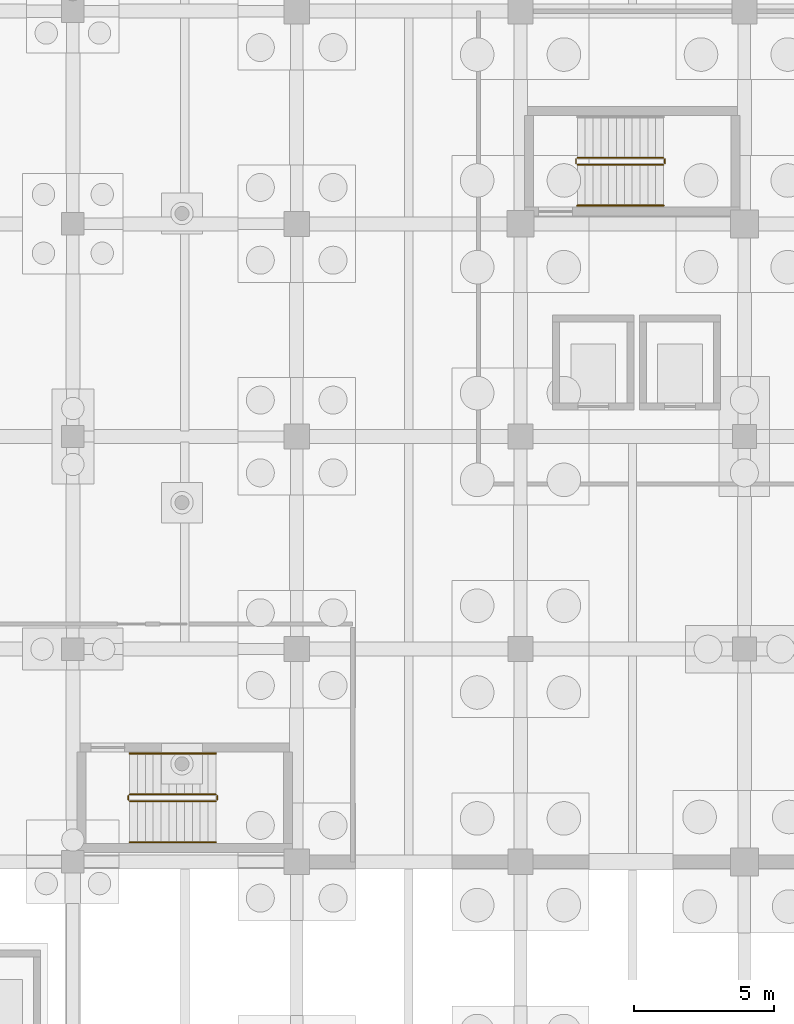
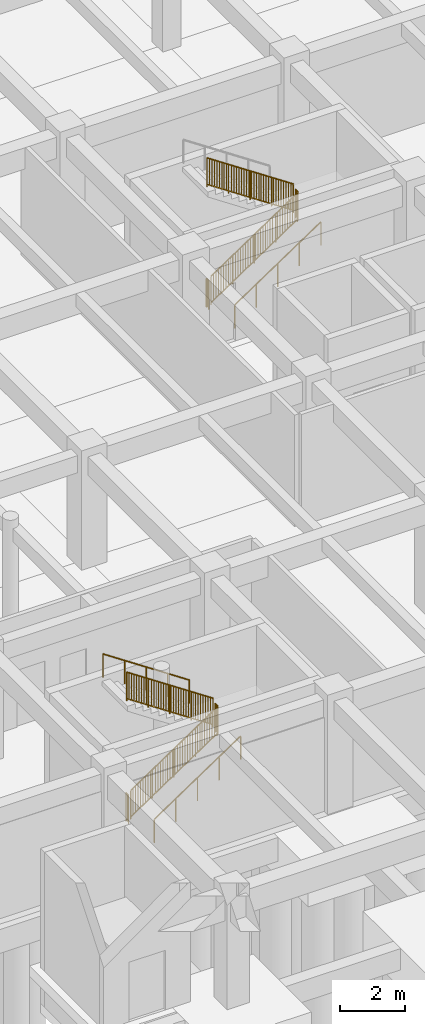
# One storey, part 45 of 49: 11 railings.
"""IFC4 building model written with IfcOpenShell, lengths in metres."""

from ifc_helpers import new_model, si_unit, direction, frame, origin, origin_2d, place, context, subcontext, project, spatial, rectangle, circle, extrude, material, type_object, element, save


model = new_model("IFC4")

# Units and contexts
model_context = context("Model", 3, precision=1e-05, world=origin(), true_north=direction((0.0, 1.0)))
body_context = subcontext(model_context, "Body", "Model", "MODEL_VIEW")
ifc_project = project(units=[si_unit("LENGTHUNIT", "METRE"), si_unit("AREAUNIT", "SQUARE_METRE"), si_unit("VOLUMEUNIT", "CUBIC_METRE"), si_unit("PLANEANGLEUNIT", "RADIAN"), si_unit("MASSUNIT", "GRAM", prefix="KILO")], contexts=[model_context])

# Site, building, storey
site_placement = place(None, origin())
site = spatial("IfcSite", under=ifc_project, at=site_placement, CompositionType="ELEMENT")
building_placement = place(site_placement, origin())
building = spatial("IfcBuilding", under=site, at=building_placement, Name="Zantavel Square City Hall", CompositionType="ELEMENT")
storey_placement = place(building_placement, frame((0.0, 0.0, -4.5)))
storey = spatial("IfcBuildingStorey", under=building, at=storey_placement, Name="B1", CompositionType="ELEMENT", Elevation=-4.5)

# Railings
ifc_material_1 = material(Name="Steel ASTM A500 Grade B", Category="steel")
railing_type_1 = type_object("IfcRailingType", Name="Atrium & Gallery Steel Guard Railing 1100mm", PredefinedType="GUARDRAIL", material=ifc_material_1)
railing_1_placement = place(storey_placement, frame((50.030029296875, 40.159912109375, 0.1875)))
element("IfcRailing", 1, at=railing_1_placement, inside=storey, type_object=railing_type_1, Name="B1 ST3 stair guard 1", PredefinedType="GUARDRAIL", context=body_context, shape_type="SweptSolid", body=[
    extrude(circle(Radius=0.02392578125, at=origin_2d()), frame((0.0, 0.0, 1.076171875), z_axis=(0.830913701846, 0.0, 0.55640131208), x_axis=(0.0, 1.0, 0.0)), (0.0, 0.0, 1.0), 3.706787109375),
    extrude(rectangle(XDim=0.031982421875, YDim=0.031982421875, at=origin_2d()), frame((0.0, 0.0, 0.080078125), z_axis=(0.830913701846, 0.0, 0.55640131208), x_axis=(0.0, 1.0, 0.0)), (0.0, 0.0, 1.0), 3.706787109375),
    extrude(rectangle(XDim=0.02197265625, YDim=0.02197265625, at=origin_2d()), frame((0.087890625, 0.0, 0.138916015625)), (0.0, 0.0, 1.0), 0.971923828125),
    extrude(rectangle(XDim=0.02197265625, YDim=0.02197265625, at=origin_2d()), frame((0.176025390625, 0.0, 0.19775390625)), (0.0, 0.0, 1.0), 0.971923828125),
    extrude(rectangle(XDim=0.02197265625, YDim=0.02197265625, at=origin_2d()), frame((0.263916015625, 0.0, 0.2568359375)), (0.0, 0.0, 1.0), 0.971923828125),
    extrude(rectangle(XDim=0.02197265625, YDim=0.02197265625, at=origin_2d()), frame((0.35205078125, 0.0, 0.315673828125)), (0.0, 0.0, 1.0), 0.971923828125),
    extrude(rectangle(XDim=0.02197265625, YDim=0.02197265625, at=origin_2d()), frame((0.43994140625, 0.0, 0.374755859375)), (0.0, 0.0, 1.0), 0.971923828125),
    extrude(rectangle(XDim=0.02197265625, YDim=0.02197265625, at=origin_2d()), frame((0.528076171875, 0.0, 0.43359375)), (0.0, 0.0, 1.0), 0.971923828125),
    extrude(rectangle(XDim=0.02197265625, YDim=0.02197265625, at=origin_2d()), frame((0.615966796875, 0.0, 0.492431640625)), (0.0, 0.0, 1.0), 0.971923828125),
    extrude(rectangle(XDim=0.02197265625, YDim=0.02197265625, at=origin_2d()), frame((0.7041015625, 0.0, 0.551513671875)), (0.0, 0.0, 1.0), 0.971923828125),
    extrude(rectangle(XDim=0.02197265625, YDim=0.02197265625, at=origin_2d()), frame((0.880126953125, 0.0, 0.669189453125)), (0.0, 0.0, 1.0), 0.971923828125),
    extrude(rectangle(XDim=0.02197265625, YDim=0.02197265625, at=origin_2d()), frame((0.968017578125, 0.0, 0.728271484375)), (0.0, 0.0, 1.0), 0.971923828125),
    extrude(rectangle(XDim=0.02197265625, YDim=0.02197265625, at=origin_2d()), frame((1.055908203125, 0.0, 0.787109375)), (0.0, 0.0, 1.0), 0.971923828125),
    extrude(rectangle(XDim=0.02197265625, YDim=0.02197265625, at=origin_2d()), frame((1.14404296875, 0.0, 0.84619140625)), (0.0, 0.0, 1.0), 0.971923828125),
    extrude(rectangle(XDim=0.02197265625, YDim=0.02197265625, at=origin_2d()), frame((1.23193359375, 0.0, 0.905029296875)), (0.0, 0.0, 1.0), 0.971923828125),
    extrude(rectangle(XDim=0.02197265625, YDim=0.02197265625, at=origin_2d()), frame((1.320068359375, 0.0, 0.9638671875)), (0.0, 0.0, 1.0), 0.971923828125),
    extrude(rectangle(XDim=0.02197265625, YDim=0.02197265625, at=origin_2d()), frame((1.407958984375, 0.0, 1.02294921875)), (0.0, 0.0, 1.0), 0.971923828125),
    extrude(rectangle(XDim=0.02197265625, YDim=0.02197265625, at=origin_2d()), frame((1.49609375, 0.0, 1.081787109375)), (0.0, 0.0, 1.0), 0.971923828125),
    extrude(rectangle(XDim=0.02197265625, YDim=0.02197265625, at=origin_2d()), frame((1.583984375, 0.0, 1.140625)), (0.0, 0.0, 1.0), 0.971923828125),
    extrude(rectangle(XDim=0.02197265625, YDim=0.02197265625, at=origin_2d()), frame((1.672119140625, 0.0, 1.19970703125)), (0.0, 0.0, 1.0), 0.971923828125),
    extrude(rectangle(XDim=0.02197265625, YDim=0.02197265625, at=origin_2d()), frame((1.760009765625, 0.0, 1.258544921875)), (0.0, 0.0, 1.0), 0.971923828125),
    extrude(rectangle(XDim=0.02197265625, YDim=0.02197265625, at=origin_2d()), frame((1.84814453125, 0.0, 1.3173828125)), (0.0, 0.0, 1.0), 0.971923828125),
    extrude(rectangle(XDim=0.02197265625, YDim=0.02197265625, at=origin_2d()), frame((1.93603515625, 0.0, 1.37646484375)), (0.0, 0.0, 1.0), 0.971923828125),
    extrude(rectangle(XDim=0.02197265625, YDim=0.02197265625, at=origin_2d()), frame((2.024169921875, 0.0, 1.435302734375)), (0.0, 0.0, 1.0), 0.971923828125),
    extrude(rectangle(XDim=0.02197265625, YDim=0.02197265625, at=origin_2d()), frame((2.112060546875, 0.0, 1.494384765625)), (0.0, 0.0, 1.0), 0.971923828125),
    extrude(rectangle(XDim=0.02197265625, YDim=0.02197265625, at=origin_2d()), frame((2.199951171875, 0.0, 1.55322265625)), (0.0, 0.0, 1.0), 0.971923828125),
    extrude(rectangle(XDim=0.02197265625, YDim=0.02197265625, at=origin_2d()), frame((2.3759765625, 0.0, 1.671142578125)), (0.0, 0.0, 1.0), 0.971923828125),
    extrude(rectangle(XDim=0.02197265625, YDim=0.02197265625, at=origin_2d()), frame((2.464111328125, 0.0, 1.72998046875)), (0.0, 0.0, 1.0), 0.971923828125),
    extrude(rectangle(XDim=0.02197265625, YDim=0.02197265625, at=origin_2d()), frame((2.552001953125, 0.0, 1.788818359375)), (0.0, 0.0, 1.0), 0.971923828125),
    extrude(rectangle(XDim=0.02197265625, YDim=0.02197265625, at=origin_2d()), frame((2.64013671875, 0.0, 1.847900390625)), (0.0, 0.0, 1.0), 0.971923828125),
    extrude(rectangle(XDim=0.02197265625, YDim=0.02197265625, at=origin_2d()), frame((2.72802734375, 0.0, 1.90673828125)), (0.0, 0.0, 1.0), 0.971923828125),
    extrude(rectangle(XDim=0.02197265625, YDim=0.02197265625, at=origin_2d()), frame((2.816162109375, 0.0, 1.9658203125)), (0.0, 0.0, 1.0), 0.971923828125),
    extrude(rectangle(XDim=0.02197265625, YDim=0.02197265625, at=origin_2d()), frame((2.904052734375, 0.0, 2.024658203125)), (0.0, 0.0, 1.0), 0.971923828125),
    extrude(rectangle(XDim=0.02197265625, YDim=0.02197265625, at=origin_2d()), frame((2.9921875, 0.0, 2.08349609375)), (0.0, 0.0, 1.0), 0.971923828125),
    extrude(circle(Radius=0.02099609375, at=origin_2d()), origin(), (0.0, 0.0, 1.0), 1.052001953125),
    extrude(circle(Radius=0.02099609375, at=origin_2d()), frame((0.77001953125, 0.0, 0.515625)), (0.0, 0.0, 1.0), 1.052001953125),
    extrude(circle(Radius=0.02099609375, at=origin_2d()), frame((1.5400390625, 0.0, 1.03125)), (0.0, 0.0, 1.0), 1.052001953125),
    extrude(circle(Radius=0.02099609375, at=origin_2d()), frame((2.31005859375, 0.0, 1.546875)), (0.0, 0.0, 1.0), 1.052001953125),
    extrude(circle(Radius=0.02099609375, at=origin_2d()), frame((3.080078125, 0.0, 2.0625)), (0.0, 0.0, 1.0), 1.052001953125),
])
railing_2_placement = place(storey_placement, frame((53.159912109375, 40.2099609375, 2.25)))
element("IfcRailing", 2, at=railing_2_placement, inside=storey, type_object=railing_type_1, Name="B1 ST3 stair guard 2", PredefinedType="GUARDRAIL", context=body_context, shape_type="SweptSolid", body=[
    extrude(circle(Radius=0.02392578125, at=origin_2d()), frame((0.0, 0.0, 1.076171875), z_axis=(0.0, 1.0, 0.0), x_axis=(-1.0, 0.0, 0.0)), (0.0, 0.0, 1.0), 0.150146484375),
    extrude(rectangle(XDim=0.031982421875, YDim=0.031982421875, at=origin_2d()), frame((0.0, 0.0, 0.080078125), z_axis=(0.0, 1.0, 0.0), x_axis=(-1.0, 0.0, 0.0)), (0.0, 0.0, 1.0), 0.150146484375),
    extrude(rectangle(XDim=0.02197265625, YDim=0.02197265625, at=origin_2d()), frame((0.0, 0.0751953125, 0.080078125)), (0.0, 0.0, 1.0), 0.971923828125),
    extrude(circle(Radius=0.02099609375, at=origin_2d()), origin(), (0.0, 0.0, 1.0), 1.052001953125),
    extrude(circle(Radius=0.02099609375, at=origin_2d()), frame((0.0, 0.150146484375, 0.0)), (0.0, 0.0, 1.0), 1.052001953125),
])
railing_3_placement = place(storey_placement, frame((53.110107421875, 40.409912109375, 2.4375)))
element("IfcRailing", 3, at=railing_3_placement, inside=storey, type_object=railing_type_1, Name="B1 ST3 stair guard 3", PredefinedType="GUARDRAIL", context=body_context, shape_type="SweptSolid", body=[
    extrude(circle(Radius=0.02392578125, at=origin_2d()), frame((0.0, 0.0, 1.076171875), z_axis=(-0.830913701846, 0.0, 0.55640131208), x_axis=(0.0, -1.0, 0.0)), (0.0, 0.0, 1.0), 3.706787109375),
    extrude(rectangle(XDim=0.031982421875, YDim=0.031982421875, at=origin_2d()), frame((0.0, 0.0, 0.080078125), z_axis=(-0.830913701846, 0.0, 0.55640131208), x_axis=(0.0, -1.0, 0.0)), (0.0, 0.0, 1.0), 3.706787109375),
    extrude(rectangle(XDim=0.02197265625, YDim=0.02197265625, at=origin_2d()), frame((-0.087890625, 0.0, 0.138916015625)), (0.0, 0.0, 1.0), 0.971923828125),
    extrude(rectangle(XDim=0.02197265625, YDim=0.02197265625, at=origin_2d()), frame((-0.176025390625, 0.0, 0.19775390625)), (0.0, 0.0, 1.0), 0.971923828125),
    extrude(rectangle(XDim=0.02197265625, YDim=0.02197265625, at=origin_2d()), frame((-0.263916015625, 0.0, 0.2568359375)), (0.0, 0.0, 1.0), 0.971923828125),
    extrude(rectangle(XDim=0.02197265625, YDim=0.02197265625, at=origin_2d()), frame((-0.35205078125, 0.0, 0.315673828125)), (0.0, 0.0, 1.0), 0.971923828125),
    extrude(rectangle(XDim=0.02197265625, YDim=0.02197265625, at=origin_2d()), frame((-0.43994140625, 0.0, 0.374755859375)), (0.0, 0.0, 1.0), 0.971923828125),
    extrude(rectangle(XDim=0.02197265625, YDim=0.02197265625, at=origin_2d()), frame((-0.528076171875, 0.0, 0.43359375)), (0.0, 0.0, 1.0), 0.971923828125),
    extrude(rectangle(XDim=0.02197265625, YDim=0.02197265625, at=origin_2d()), frame((-0.615966796875, 0.0, 0.492431640625)), (0.0, 0.0, 1.0), 0.971923828125),
    extrude(rectangle(XDim=0.02197265625, YDim=0.02197265625, at=origin_2d()), frame((-0.7041015625, 0.0, 0.551513671875)), (0.0, 0.0, 1.0), 0.971923828125),
    extrude(rectangle(XDim=0.02197265625, YDim=0.02197265625, at=origin_2d()), frame((-0.880126953125, 0.0, 0.669189453125)), (0.0, 0.0, 1.0), 0.971923828125),
    extrude(rectangle(XDim=0.02197265625, YDim=0.02197265625, at=origin_2d()), frame((-0.968017578125, 0.0, 0.728271484375)), (0.0, 0.0, 1.0), 0.971923828125),
    extrude(rectangle(XDim=0.02197265625, YDim=0.02197265625, at=origin_2d()), frame((-1.055908203125, 0.0, 0.787109375)), (0.0, 0.0, 1.0), 0.971923828125),
    extrude(rectangle(XDim=0.02197265625, YDim=0.02197265625, at=origin_2d()), frame((-1.14404296875, 0.0, 0.84619140625)), (0.0, 0.0, 1.0), 0.971923828125),
    extrude(rectangle(XDim=0.02197265625, YDim=0.02197265625, at=origin_2d()), frame((-1.23193359375, 0.0, 0.905029296875)), (0.0, 0.0, 1.0), 0.971923828125),
    extrude(rectangle(XDim=0.02197265625, YDim=0.02197265625, at=origin_2d()), frame((-1.320068359375, 0.0, 0.9638671875)), (0.0, 0.0, 1.0), 0.971923828125),
    extrude(rectangle(XDim=0.02197265625, YDim=0.02197265625, at=origin_2d()), frame((-1.407958984375, 0.0, 1.02294921875)), (0.0, 0.0, 1.0), 0.971923828125),
    extrude(rectangle(XDim=0.02197265625, YDim=0.02197265625, at=origin_2d()), frame((-1.49609375, 0.0, 1.081787109375)), (0.0, 0.0, 1.0), 0.971923828125),
    extrude(rectangle(XDim=0.02197265625, YDim=0.02197265625, at=origin_2d()), frame((-1.583984375, 0.0, 1.140625)), (0.0, 0.0, 1.0), 0.971923828125),
    extrude(rectangle(XDim=0.02197265625, YDim=0.02197265625, at=origin_2d()), frame((-1.672119140625, 0.0, 1.19970703125)), (0.0, 0.0, 1.0), 0.971923828125),
    extrude(rectangle(XDim=0.02197265625, YDim=0.02197265625, at=origin_2d()), frame((-1.760009765625, 0.0, 1.258544921875)), (0.0, 0.0, 1.0), 0.971923828125),
    extrude(rectangle(XDim=0.02197265625, YDim=0.02197265625, at=origin_2d()), frame((-1.84814453125, 0.0, 1.3173828125)), (0.0, 0.0, 1.0), 0.971923828125),
    extrude(rectangle(XDim=0.02197265625, YDim=0.02197265625, at=origin_2d()), frame((-1.93603515625, 0.0, 1.37646484375)), (0.0, 0.0, 1.0), 0.971923828125),
    extrude(rectangle(XDim=0.02197265625, YDim=0.02197265625, at=origin_2d()), frame((-2.024169921875, 0.0, 1.435302734375)), (0.0, 0.0, 1.0), 0.971923828125),
    extrude(rectangle(XDim=0.02197265625, YDim=0.02197265625, at=origin_2d()), frame((-2.112060546875, 0.0, 1.494384765625)), (0.0, 0.0, 1.0), 0.971923828125),
    extrude(rectangle(XDim=0.02197265625, YDim=0.02197265625, at=origin_2d()), frame((-2.199951171875, 0.0, 1.55322265625)), (0.0, 0.0, 1.0), 0.971923828125),
    extrude(rectangle(XDim=0.02197265625, YDim=0.02197265625, at=origin_2d()), frame((-2.3759765625, 0.0, 1.671142578125)), (0.0, 0.0, 1.0), 0.971923828125),
    extrude(rectangle(XDim=0.02197265625, YDim=0.02197265625, at=origin_2d()), frame((-2.464111328125, 0.0, 1.72998046875)), (0.0, 0.0, 1.0), 0.971923828125),
    extrude(rectangle(XDim=0.02197265625, YDim=0.02197265625, at=origin_2d()), frame((-2.552001953125, 0.0, 1.788818359375)), (0.0, 0.0, 1.0), 0.971923828125),
    extrude(rectangle(XDim=0.02197265625, YDim=0.02197265625, at=origin_2d()), frame((-2.64013671875, 0.0, 1.847900390625)), (0.0, 0.0, 1.0), 0.971923828125),
    extrude(rectangle(XDim=0.02197265625, YDim=0.02197265625, at=origin_2d()), frame((-2.72802734375, 0.0, 1.90673828125)), (0.0, 0.0, 1.0), 0.971923828125),
    extrude(rectangle(XDim=0.02197265625, YDim=0.02197265625, at=origin_2d()), frame((-2.816162109375, 0.0, 1.9658203125)), (0.0, 0.0, 1.0), 0.971923828125),
    extrude(rectangle(XDim=0.02197265625, YDim=0.02197265625, at=origin_2d()), frame((-2.904052734375, 0.0, 2.024658203125)), (0.0, 0.0, 1.0), 0.971923828125),
    extrude(rectangle(XDim=0.02197265625, YDim=0.02197265625, at=origin_2d()), frame((-2.9921875, 0.0, 2.08349609375)), (0.0, 0.0, 1.0), 0.971923828125),
    extrude(circle(Radius=0.02099609375, at=origin_2d()), origin(), (0.0, 0.0, 1.0), 1.052001953125),
    extrude(circle(Radius=0.02099609375, at=origin_2d()), frame((-0.77001953125, 0.0, 0.515625)), (0.0, 0.0, 1.0), 1.052001953125),
    extrude(circle(Radius=0.02099609375, at=origin_2d()), frame((-1.5400390625, 0.0, 1.03125)), (0.0, 0.0, 1.0), 1.052001953125),
    extrude(circle(Radius=0.02099609375, at=origin_2d()), frame((-2.31005859375, 0.0, 1.546875)), (0.0, 0.0, 1.0), 1.052001953125),
    extrude(circle(Radius=0.02099609375, at=origin_2d()), frame((-3.080078125, 0.0, 2.0625)), (0.0, 0.0, 1.0), 1.052001953125),
])
railing_4_placement = place(storey_placement, frame((49.97998046875, 40.2099609375, 0.0)))
element("IfcRailing", 4, at=railing_4_placement, inside=storey, type_object=railing_type_1, Name="B1 ST3 stair guard 4", PredefinedType="GUARDRAIL", context=body_context, shape_type="SweptSolid", body=[
    extrude(circle(Radius=0.02392578125, at=origin_2d()), frame((0.0, 0.0, 1.076171875), z_axis=(0.0, 1.0, 0.0), x_axis=(-1.0, 0.0, 0.0)), (0.0, 0.0, 1.0), 0.150146484375),
    extrude(rectangle(XDim=0.031982421875, YDim=0.031982421875, at=origin_2d()), frame((0.0, 0.0, 0.080078125), z_axis=(0.0, 1.0, 0.0), x_axis=(-1.0, 0.0, 0.0)), (0.0, 0.0, 1.0), 0.150146484375),
    extrude(rectangle(XDim=0.02197265625, YDim=0.02197265625, at=origin_2d()), frame((0.0, 0.0751953125, 0.080078125)), (0.0, 0.0, 1.0), 0.971923828125),
    extrude(circle(Radius=0.02099609375, at=origin_2d()), origin(), (0.0, 0.0, 1.0), 1.052001953125),
    extrude(circle(Radius=0.02099609375, at=origin_2d()), frame((0.0, 0.150146484375, 0.0)), (0.0, 0.0, 1.0), 1.052001953125),
])
railing_5_placement = place(storey_placement, frame((66.030029296875, 62.909912109375, 0.1875)))
element("IfcRailing", 5, at=railing_5_placement, inside=storey, type_object=railing_type_1, Name="B1 ST5 stair guard 1", PredefinedType="GUARDRAIL", context=body_context, shape_type="SweptSolid", body=[
    extrude(circle(Radius=0.02392578125, at=origin_2d()), frame((0.0, 0.0, 1.076171875), z_axis=(0.830913701846, 0.0, 0.55640131208), x_axis=(0.0, 1.0, 0.0)), (0.0, 0.0, 1.0), 3.706787109375),
    extrude(rectangle(XDim=0.031982421875, YDim=0.031982421875, at=origin_2d()), frame((0.0, 0.0, 0.080078125), z_axis=(0.830913701846, 0.0, 0.55640131208), x_axis=(0.0, 1.0, 0.0)), (0.0, 0.0, 1.0), 3.706787109375),
    extrude(rectangle(XDim=0.02197265625, YDim=0.02197265625, at=origin_2d()), frame((0.087890625, 0.0, 0.138916015625)), (0.0, 0.0, 1.0), 0.971923828125),
    extrude(rectangle(XDim=0.02197265625, YDim=0.02197265625, at=origin_2d()), frame((0.176025390625, 0.0, 0.19775390625)), (0.0, 0.0, 1.0), 0.971923828125),
    extrude(rectangle(XDim=0.02197265625, YDim=0.02197265625, at=origin_2d()), frame((0.263916015625, 0.0, 0.2568359375)), (0.0, 0.0, 1.0), 0.971923828125),
    extrude(rectangle(XDim=0.02197265625, YDim=0.02197265625, at=origin_2d()), frame((0.35205078125, 0.0, 0.315673828125)), (0.0, 0.0, 1.0), 0.971923828125),
    extrude(rectangle(XDim=0.02197265625, YDim=0.02197265625, at=origin_2d()), frame((0.43994140625, 0.0, 0.374755859375)), (0.0, 0.0, 1.0), 0.971923828125),
    extrude(rectangle(XDim=0.02197265625, YDim=0.02197265625, at=origin_2d()), frame((0.528076171875, 0.0, 0.43359375)), (0.0, 0.0, 1.0), 0.971923828125),
    extrude(rectangle(XDim=0.02197265625, YDim=0.02197265625, at=origin_2d()), frame((0.615966796875, 0.0, 0.492431640625)), (0.0, 0.0, 1.0), 0.971923828125),
    extrude(rectangle(XDim=0.02197265625, YDim=0.02197265625, at=origin_2d()), frame((0.7041015625, 0.0, 0.551513671875)), (0.0, 0.0, 1.0), 0.971923828125),
    extrude(rectangle(XDim=0.02197265625, YDim=0.02197265625, at=origin_2d()), frame((0.880126953125, 0.0, 0.669189453125)), (0.0, 0.0, 1.0), 0.971923828125),
    extrude(rectangle(XDim=0.02197265625, YDim=0.02197265625, at=origin_2d()), frame((0.968017578125, 0.0, 0.728271484375)), (0.0, 0.0, 1.0), 0.971923828125),
    extrude(rectangle(XDim=0.02197265625, YDim=0.02197265625, at=origin_2d()), frame((1.055908203125, 0.0, 0.787109375)), (0.0, 0.0, 1.0), 0.971923828125),
    extrude(rectangle(XDim=0.02197265625, YDim=0.02197265625, at=origin_2d()), frame((1.14404296875, 0.0, 0.84619140625)), (0.0, 0.0, 1.0), 0.971923828125),
    extrude(rectangle(XDim=0.02197265625, YDim=0.02197265625, at=origin_2d()), frame((1.23193359375, 0.0, 0.905029296875)), (0.0, 0.0, 1.0), 0.971923828125),
    extrude(rectangle(XDim=0.02197265625, YDim=0.02197265625, at=origin_2d()), frame((1.320068359375, 0.0, 0.9638671875)), (0.0, 0.0, 1.0), 0.971923828125),
    extrude(rectangle(XDim=0.02197265625, YDim=0.02197265625, at=origin_2d()), frame((1.407958984375, 0.0, 1.02294921875)), (0.0, 0.0, 1.0), 0.971923828125),
    extrude(rectangle(XDim=0.02197265625, YDim=0.02197265625, at=origin_2d()), frame((1.49609375, 0.0, 1.081787109375)), (0.0, 0.0, 1.0), 0.971923828125),
    extrude(rectangle(XDim=0.02197265625, YDim=0.02197265625, at=origin_2d()), frame((1.583984375, 0.0, 1.140625)), (0.0, 0.0, 1.0), 0.971923828125),
    extrude(rectangle(XDim=0.02197265625, YDim=0.02197265625, at=origin_2d()), frame((1.672119140625, 0.0, 1.19970703125)), (0.0, 0.0, 1.0), 0.971923828125),
    extrude(rectangle(XDim=0.02197265625, YDim=0.02197265625, at=origin_2d()), frame((1.760009765625, 0.0, 1.258544921875)), (0.0, 0.0, 1.0), 0.971923828125),
    extrude(rectangle(XDim=0.02197265625, YDim=0.02197265625, at=origin_2d()), frame((1.84814453125, 0.0, 1.3173828125)), (0.0, 0.0, 1.0), 0.971923828125),
    extrude(rectangle(XDim=0.02197265625, YDim=0.02197265625, at=origin_2d()), frame((1.93603515625, 0.0, 1.37646484375)), (0.0, 0.0, 1.0), 0.971923828125),
    extrude(rectangle(XDim=0.02197265625, YDim=0.02197265625, at=origin_2d()), frame((2.024169921875, 0.0, 1.435302734375)), (0.0, 0.0, 1.0), 0.971923828125),
    extrude(rectangle(XDim=0.02197265625, YDim=0.02197265625, at=origin_2d()), frame((2.112060546875, 0.0, 1.494384765625)), (0.0, 0.0, 1.0), 0.971923828125),
    extrude(rectangle(XDim=0.02197265625, YDim=0.02197265625, at=origin_2d()), frame((2.199951171875, 0.0, 1.55322265625)), (0.0, 0.0, 1.0), 0.971923828125),
    extrude(rectangle(XDim=0.02197265625, YDim=0.02197265625, at=origin_2d()), frame((2.3759765625, 0.0, 1.671142578125)), (0.0, 0.0, 1.0), 0.971923828125),
    extrude(rectangle(XDim=0.02197265625, YDim=0.02197265625, at=origin_2d()), frame((2.464111328125, 0.0, 1.72998046875)), (0.0, 0.0, 1.0), 0.971923828125),
    extrude(rectangle(XDim=0.02197265625, YDim=0.02197265625, at=origin_2d()), frame((2.552001953125, 0.0, 1.788818359375)), (0.0, 0.0, 1.0), 0.971923828125),
    extrude(rectangle(XDim=0.02197265625, YDim=0.02197265625, at=origin_2d()), frame((2.64013671875, 0.0, 1.847900390625)), (0.0, 0.0, 1.0), 0.971923828125),
    extrude(rectangle(XDim=0.02197265625, YDim=0.02197265625, at=origin_2d()), frame((2.72802734375, 0.0, 1.90673828125)), (0.0, 0.0, 1.0), 0.971923828125),
    extrude(rectangle(XDim=0.02197265625, YDim=0.02197265625, at=origin_2d()), frame((2.816162109375, 0.0, 1.9658203125)), (0.0, 0.0, 1.0), 0.971923828125),
    extrude(rectangle(XDim=0.02197265625, YDim=0.02197265625, at=origin_2d()), frame((2.904052734375, 0.0, 2.024658203125)), (0.0, 0.0, 1.0), 0.971923828125),
    extrude(rectangle(XDim=0.02197265625, YDim=0.02197265625, at=origin_2d()), frame((2.9921875, 0.0, 2.08349609375)), (0.0, 0.0, 1.0), 0.971923828125),
    extrude(circle(Radius=0.02099609375, at=origin_2d()), origin(), (0.0, 0.0, 1.0), 1.052001953125),
    extrude(circle(Radius=0.02099609375, at=origin_2d()), frame((0.77001953125, 0.0, 0.515625)), (0.0, 0.0, 1.0), 1.052001953125),
    extrude(circle(Radius=0.02099609375, at=origin_2d()), frame((1.5400390625, 0.0, 1.03125)), (0.0, 0.0, 1.0), 1.052001953125),
    extrude(circle(Radius=0.02099609375, at=origin_2d()), frame((2.31005859375, 0.0, 1.546875)), (0.0, 0.0, 1.0), 1.052001953125),
    extrude(circle(Radius=0.02099609375, at=origin_2d()), frame((3.080078125, 0.0, 2.0625)), (0.0, 0.0, 1.0), 1.052001953125),
])
railing_6_placement = place(storey_placement, frame((69.159912109375, 62.9599609375, 2.25)))
element("IfcRailing", 6, at=railing_6_placement, inside=storey, type_object=railing_type_1, Name="B1 ST5 stair guard 2", PredefinedType="GUARDRAIL", context=body_context, shape_type="SweptSolid", body=[
    extrude(circle(Radius=0.02392578125, at=origin_2d()), frame((0.0, 0.0, 1.076171875), z_axis=(0.0, 1.0, 0.0), x_axis=(-1.0, 0.0, 0.0)), (0.0, 0.0, 1.0), 0.150146484375),
    extrude(rectangle(XDim=0.031982421875, YDim=0.031982421875, at=origin_2d()), frame((0.0, 0.0, 0.080078125), z_axis=(0.0, 1.0, 0.0), x_axis=(-1.0, 0.0, 0.0)), (0.0, 0.0, 1.0), 0.150146484375),
    extrude(rectangle(XDim=0.02197265625, YDim=0.02197265625, at=origin_2d()), frame((0.0, 0.0751953125, 0.080078125)), (0.0, 0.0, 1.0), 0.971923828125),
    extrude(circle(Radius=0.02099609375, at=origin_2d()), origin(), (0.0, 0.0, 1.0), 1.052001953125),
    extrude(circle(Radius=0.02099609375, at=origin_2d()), frame((0.0, 0.150146484375, 0.0)), (0.0, 0.0, 1.0), 1.052001953125),
])
railing_7_placement = place(storey_placement, frame((69.110107421875, 63.159912109375, 2.4375)))
element("IfcRailing", 7, at=railing_7_placement, inside=storey, type_object=railing_type_1, Name="B1 ST5 stair guard 3", PredefinedType="GUARDRAIL", context=body_context, shape_type="SweptSolid", body=[
    extrude(circle(Radius=0.02392578125, at=origin_2d()), frame((0.0, 0.0, 1.076171875), z_axis=(-0.830913701846, 0.0, 0.55640131208), x_axis=(0.0, -1.0, 0.0)), (0.0, 0.0, 1.0), 3.706787109375),
    extrude(rectangle(XDim=0.031982421875, YDim=0.031982421875, at=origin_2d()), frame((0.0, 0.0, 0.080078125), z_axis=(-0.830913701846, 0.0, 0.55640131208), x_axis=(0.0, -1.0, 0.0)), (0.0, 0.0, 1.0), 3.706787109375),
    extrude(rectangle(XDim=0.02197265625, YDim=0.02197265625, at=origin_2d()), frame((-0.087890625, 0.0, 0.138916015625)), (0.0, 0.0, 1.0), 0.971923828125),
    extrude(rectangle(XDim=0.02197265625, YDim=0.02197265625, at=origin_2d()), frame((-0.176025390625, 0.0, 0.19775390625)), (0.0, 0.0, 1.0), 0.971923828125),
    extrude(rectangle(XDim=0.02197265625, YDim=0.02197265625, at=origin_2d()), frame((-0.263916015625, 0.0, 0.2568359375)), (0.0, 0.0, 1.0), 0.971923828125),
    extrude(rectangle(XDim=0.02197265625, YDim=0.02197265625, at=origin_2d()), frame((-0.35205078125, 0.0, 0.315673828125)), (0.0, 0.0, 1.0), 0.971923828125),
    extrude(rectangle(XDim=0.02197265625, YDim=0.02197265625, at=origin_2d()), frame((-0.43994140625, 0.0, 0.374755859375)), (0.0, 0.0, 1.0), 0.971923828125),
    extrude(rectangle(XDim=0.02197265625, YDim=0.02197265625, at=origin_2d()), frame((-0.528076171875, 0.0, 0.43359375)), (0.0, 0.0, 1.0), 0.971923828125),
    extrude(rectangle(XDim=0.02197265625, YDim=0.02197265625, at=origin_2d()), frame((-0.615966796875, 0.0, 0.492431640625)), (0.0, 0.0, 1.0), 0.971923828125),
    extrude(rectangle(XDim=0.02197265625, YDim=0.02197265625, at=origin_2d()), frame((-0.7041015625, 0.0, 0.551513671875)), (0.0, 0.0, 1.0), 0.971923828125),
    extrude(rectangle(XDim=0.02197265625, YDim=0.02197265625, at=origin_2d()), frame((-0.880126953125, 0.0, 0.669189453125)), (0.0, 0.0, 1.0), 0.971923828125),
    extrude(rectangle(XDim=0.02197265625, YDim=0.02197265625, at=origin_2d()), frame((-0.968017578125, 0.0, 0.728271484375)), (0.0, 0.0, 1.0), 0.971923828125),
    extrude(rectangle(XDim=0.02197265625, YDim=0.02197265625, at=origin_2d()), frame((-1.055908203125, 0.0, 0.787109375)), (0.0, 0.0, 1.0), 0.971923828125),
    extrude(rectangle(XDim=0.02197265625, YDim=0.02197265625, at=origin_2d()), frame((-1.14404296875, 0.0, 0.84619140625)), (0.0, 0.0, 1.0), 0.971923828125),
    extrude(rectangle(XDim=0.02197265625, YDim=0.02197265625, at=origin_2d()), frame((-1.23193359375, 0.0, 0.905029296875)), (0.0, 0.0, 1.0), 0.971923828125),
    extrude(rectangle(XDim=0.02197265625, YDim=0.02197265625, at=origin_2d()), frame((-1.320068359375, 0.0, 0.9638671875)), (0.0, 0.0, 1.0), 0.971923828125),
    extrude(rectangle(XDim=0.02197265625, YDim=0.02197265625, at=origin_2d()), frame((-1.407958984375, 0.0, 1.02294921875)), (0.0, 0.0, 1.0), 0.971923828125),
    extrude(rectangle(XDim=0.02197265625, YDim=0.02197265625, at=origin_2d()), frame((-1.49609375, 0.0, 1.081787109375)), (0.0, 0.0, 1.0), 0.971923828125),
    extrude(rectangle(XDim=0.02197265625, YDim=0.02197265625, at=origin_2d()), frame((-1.583984375, 0.0, 1.140625)), (0.0, 0.0, 1.0), 0.971923828125),
    extrude(rectangle(XDim=0.02197265625, YDim=0.02197265625, at=origin_2d()), frame((-1.672119140625, 0.0, 1.19970703125)), (0.0, 0.0, 1.0), 0.971923828125),
    extrude(rectangle(XDim=0.02197265625, YDim=0.02197265625, at=origin_2d()), frame((-1.760009765625, 0.0, 1.258544921875)), (0.0, 0.0, 1.0), 0.971923828125),
    extrude(rectangle(XDim=0.02197265625, YDim=0.02197265625, at=origin_2d()), frame((-1.84814453125, 0.0, 1.3173828125)), (0.0, 0.0, 1.0), 0.971923828125),
    extrude(rectangle(XDim=0.02197265625, YDim=0.02197265625, at=origin_2d()), frame((-1.93603515625, 0.0, 1.37646484375)), (0.0, 0.0, 1.0), 0.971923828125),
    extrude(rectangle(XDim=0.02197265625, YDim=0.02197265625, at=origin_2d()), frame((-2.024169921875, 0.0, 1.435302734375)), (0.0, 0.0, 1.0), 0.971923828125),
    extrude(rectangle(XDim=0.02197265625, YDim=0.02197265625, at=origin_2d()), frame((-2.112060546875, 0.0, 1.494384765625)), (0.0, 0.0, 1.0), 0.971923828125),
    extrude(rectangle(XDim=0.02197265625, YDim=0.02197265625, at=origin_2d()), frame((-2.199951171875, 0.0, 1.55322265625)), (0.0, 0.0, 1.0), 0.971923828125),
    extrude(rectangle(XDim=0.02197265625, YDim=0.02197265625, at=origin_2d()), frame((-2.3759765625, 0.0, 1.671142578125)), (0.0, 0.0, 1.0), 0.971923828125),
    extrude(rectangle(XDim=0.02197265625, YDim=0.02197265625, at=origin_2d()), frame((-2.464111328125, 0.0, 1.72998046875)), (0.0, 0.0, 1.0), 0.971923828125),
    extrude(rectangle(XDim=0.02197265625, YDim=0.02197265625, at=origin_2d()), frame((-2.552001953125, 0.0, 1.788818359375)), (0.0, 0.0, 1.0), 0.971923828125),
    extrude(rectangle(XDim=0.02197265625, YDim=0.02197265625, at=origin_2d()), frame((-2.64013671875, 0.0, 1.847900390625)), (0.0, 0.0, 1.0), 0.971923828125),
    extrude(rectangle(XDim=0.02197265625, YDim=0.02197265625, at=origin_2d()), frame((-2.72802734375, 0.0, 1.90673828125)), (0.0, 0.0, 1.0), 0.971923828125),
    extrude(rectangle(XDim=0.02197265625, YDim=0.02197265625, at=origin_2d()), frame((-2.816162109375, 0.0, 1.9658203125)), (0.0, 0.0, 1.0), 0.971923828125),
    extrude(rectangle(XDim=0.02197265625, YDim=0.02197265625, at=origin_2d()), frame((-2.904052734375, 0.0, 2.024658203125)), (0.0, 0.0, 1.0), 0.971923828125),
    extrude(rectangle(XDim=0.02197265625, YDim=0.02197265625, at=origin_2d()), frame((-2.9921875, 0.0, 2.08349609375)), (0.0, 0.0, 1.0), 0.971923828125),
    extrude(circle(Radius=0.02099609375, at=origin_2d()), origin(), (0.0, 0.0, 1.0), 1.052001953125),
    extrude(circle(Radius=0.02099609375, at=origin_2d()), frame((-0.77001953125, 0.0, 0.515625)), (0.0, 0.0, 1.0), 1.052001953125),
    extrude(circle(Radius=0.02099609375, at=origin_2d()), frame((-1.5400390625, 0.0, 1.03125)), (0.0, 0.0, 1.0), 1.052001953125),
    extrude(circle(Radius=0.02099609375, at=origin_2d()), frame((-2.31005859375, 0.0, 1.546875)), (0.0, 0.0, 1.0), 1.052001953125),
    extrude(circle(Radius=0.02099609375, at=origin_2d()), frame((-3.080078125, 0.0, 2.0625)), (0.0, 0.0, 1.0), 1.052001953125),
])
railing_8_placement = place(storey_placement, frame((65.97998046875, 62.9599609375, 0.0)))
element("IfcRailing", 8, at=railing_8_placement, inside=storey, type_object=railing_type_1, Name="B1 ST5 stair guard 4", PredefinedType="GUARDRAIL", context=body_context, shape_type="SweptSolid", body=[
    extrude(circle(Radius=0.02392578125, at=origin_2d()), frame((0.0, 0.0, 1.076171875), z_axis=(0.0, 1.0, 0.0), x_axis=(-1.0, 0.0, 0.0)), (0.0, 0.0, 1.0), 0.150146484375),
    extrude(rectangle(XDim=0.031982421875, YDim=0.031982421875, at=origin_2d()), frame((0.0, 0.0, 0.080078125), z_axis=(0.0, 1.0, 0.0), x_axis=(-1.0, 0.0, 0.0)), (0.0, 0.0, 1.0), 0.150146484375),
    extrude(rectangle(XDim=0.02197265625, YDim=0.02197265625, at=origin_2d()), frame((0.0, 0.0751953125, 0.080078125)), (0.0, 0.0, 1.0), 0.971923828125),
    extrude(circle(Radius=0.02099609375, at=origin_2d()), origin(), (0.0, 0.0, 1.0), 1.052001953125),
    extrude(circle(Radius=0.02099609375, at=origin_2d()), frame((0.0, 0.150146484375, 0.0)), (0.0, 0.0, 1.0), 1.052001953125),
])
ifc_material_2 = material(Name="Stainless steel 316", Category="steel")
railing_type_2 = type_object("IfcRailingType", Name="Stair Stainless Steel Handrail 900mm", PredefinedType="HANDRAIL", material=ifc_material_2)
railing_9_placement = place(storey_placement, frame((50.030029296875, 38.699951171875, 0.1875)))
element("IfcRailing", 9, at=railing_9_placement, inside=storey, type_object=railing_type_2, Name="B1 ST3 stair handrail 1", PredefinedType="HANDRAIL", context=body_context, shape_type="SweptSolid", body=[
    extrude(circle(Radius=0.02392578125, at=origin_2d()), frame((0.0, 0.0, 0.8759765625), z_axis=(0.830913701846, 0.0, 0.55640131208), x_axis=(0.0, 1.0, 0.0)), (0.0, 0.0, 1.0), 3.706787109375),
    extrude(circle(Radius=0.02099609375, at=origin_2d()), origin(), (0.0, 0.0, 1.0), 0.851806640625),
    extrude(circle(Radius=0.02099609375, at=origin_2d()), frame((0.77001953125, 0.0, 0.515625)), (0.0, 0.0, 1.0), 0.851806640625),
    extrude(circle(Radius=0.02099609375, at=origin_2d()), frame((1.5400390625, 0.0, 1.03125)), (0.0, 0.0, 1.0), 0.851806640625),
    extrude(circle(Radius=0.02099609375, at=origin_2d()), frame((2.31005859375, 0.0, 1.546875)), (0.0, 0.0, 1.0), 0.851806640625),
    extrude(circle(Radius=0.02099609375, at=origin_2d()), frame((3.080078125, 0.0, 2.0625)), (0.0, 0.0, 1.0), 0.851806640625),
])
railing_10_placement = place(storey_placement, frame((53.110107421875, 41.8701171875, 2.4375)))
element("IfcRailing", 10, at=railing_10_placement, inside=storey, type_object=railing_type_2, Name="B1 ST3 stair handrail 2", PredefinedType="HANDRAIL", context=body_context, shape_type="SweptSolid", body=[
    extrude(circle(Radius=0.02392578125, at=origin_2d()), frame((0.0, 0.0, 0.8759765625), z_axis=(-0.830913701846, 0.0, 0.55640131208), x_axis=(0.0, -1.0, 0.0)), (0.0, 0.0, 1.0), 3.706787109375),
    extrude(circle(Radius=0.02099609375, at=origin_2d()), origin(), (0.0, 0.0, 1.0), 0.851806640625),
    extrude(circle(Radius=0.02099609375, at=origin_2d()), frame((-0.77001953125, 0.0, 0.515625)), (0.0, 0.0, 1.0), 0.851806640625),
    extrude(circle(Radius=0.02099609375, at=origin_2d()), frame((-1.5400390625, 0.0, 1.03125)), (0.0, 0.0, 1.0), 0.851806640625),
    extrude(circle(Radius=0.02099609375, at=origin_2d()), frame((-2.31005859375, 0.0, 1.546875)), (0.0, 0.0, 1.0), 0.851806640625),
    extrude(circle(Radius=0.02099609375, at=origin_2d()), frame((-3.080078125, 0.0, 2.0625)), (0.0, 0.0, 1.0), 0.851806640625),
])
railing_11_placement = place(storey_placement, frame((66.030029296875, 61.449951171875, 0.1875)))
element("IfcRailing", 11, at=railing_11_placement, inside=storey, type_object=railing_type_2, Name="B1 ST5 stair handrail 1", PredefinedType="HANDRAIL", context=body_context, shape_type="SweptSolid", body=[
    extrude(circle(Radius=0.02392578125, at=origin_2d()), frame((0.0, 0.0, 0.8759765625), z_axis=(0.830913701846, 0.0, 0.55640131208), x_axis=(0.0, 1.0, 0.0)), (0.0, 0.0, 1.0), 3.706787109375),
    extrude(circle(Radius=0.02099609375, at=origin_2d()), origin(), (0.0, 0.0, 1.0), 0.851806640625),
    extrude(circle(Radius=0.02099609375, at=origin_2d()), frame((0.77001953125, 0.0, 0.515625)), (0.0, 0.0, 1.0), 0.851806640625),
    extrude(circle(Radius=0.02099609375, at=origin_2d()), frame((1.5400390625, 0.0, 1.03125)), (0.0, 0.0, 1.0), 0.851806640625),
    extrude(circle(Radius=0.02099609375, at=origin_2d()), frame((2.31005859375, 0.0, 1.546875)), (0.0, 0.0, 1.0), 0.851806640625),
    extrude(circle(Radius=0.02099609375, at=origin_2d()), frame((3.080078125, 0.0, 2.0625)), (0.0, 0.0, 1.0), 0.851806640625),
])

save(model, "model.ifc")
